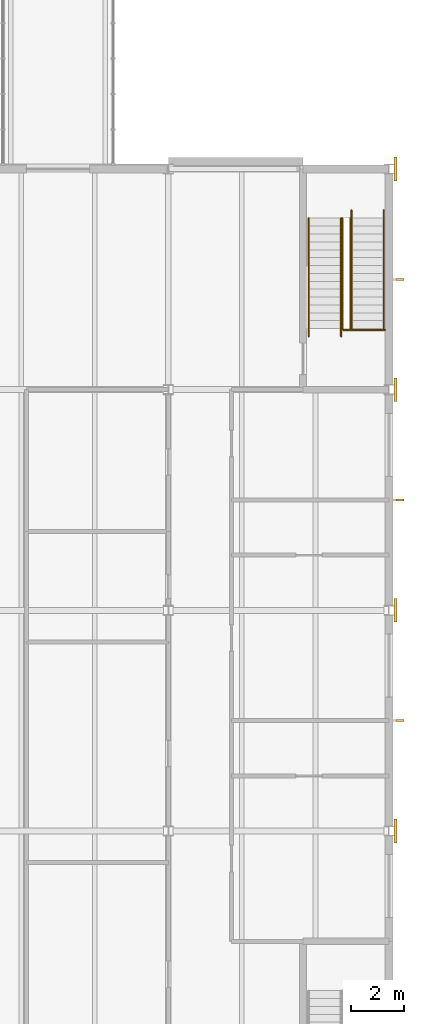
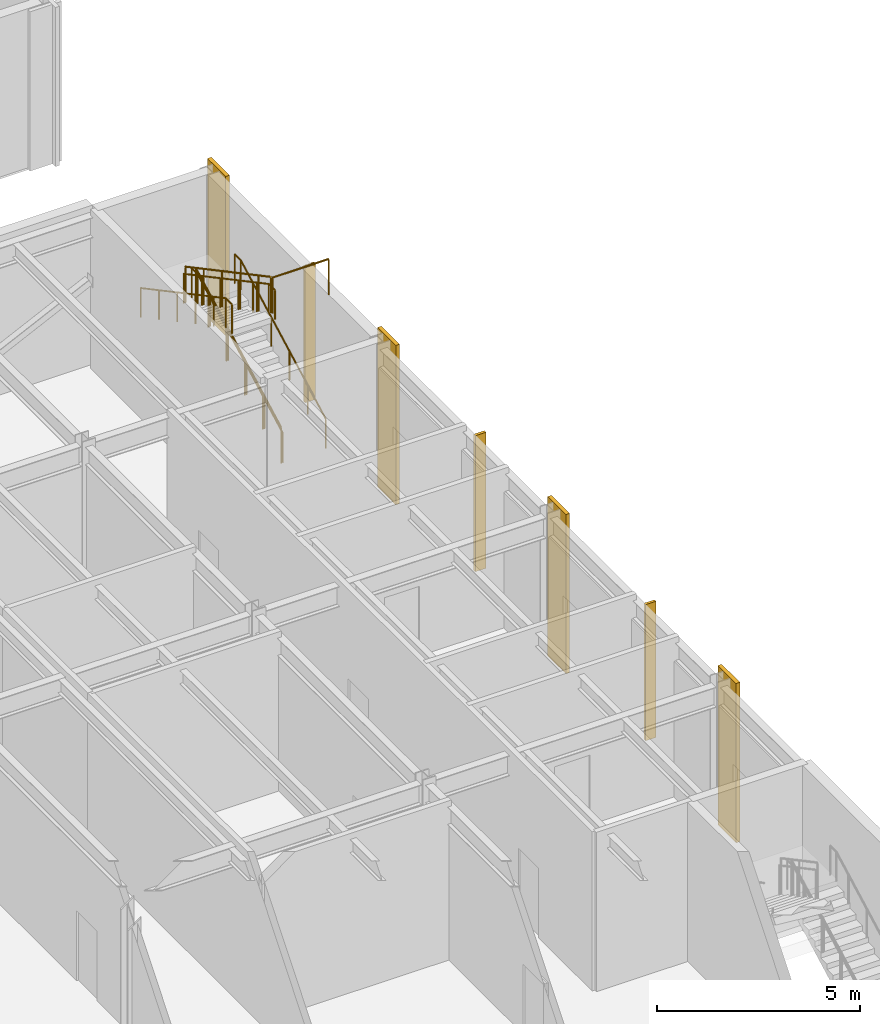
# One storey, part 124 of 127: 7 railings, 4 coverings, 3 shading devices.
"""IFC4 building model written with IfcOpenShell, lengths in metres."""

import ifcopenshell
import ifcopenshell.guid

model = None  # the IFC model being written
_history = None  # IfcOwnerHistory: only IFC2X3 demands one
_inside = {}  # id of a spatial element -> (the spatial element, [elements in it])
_under = {}  # id of a project, library or spatial element -> (it, [spatial elements below it])
_declared = {}  # id of a project -> (the project, [libraries it declares])
_typed = {}  # id of a type object -> (the type object, [elements of that type])
_made_of = {}  # id of a material, layer set ... -> (it, [elements and type objects made of it])


def new_model(schema):
    """Start an empty IFC model of exactly this schema.

    Asked for "IFC4X3", IfcOpenShell would pick the latest addendum, in which some entities
    have other attributes; the version numbers below select the first issue.
    IFC2X3 requires an IfcOwnerHistory on every rooted entity: one is made here for all.
    """
    global model, _history
    if schema == "IFC4X3":
        model = ifcopenshell.file(schema_version=(4, 3, 0, 0))
    else:
        model = ifcopenshell.file(schema=schema)
    _inside.clear()
    _under.clear()
    _declared.clear()
    _typed.clear()
    _made_of.clear()
    _history = None
    if model.schema == "IFC2X3":
        org = make("IfcOrganization", Name="unknown")
        user = make(
            "IfcPersonAndOrganization",
            ThePerson=make("IfcPerson", FamilyName="unknown"),
            TheOrganization=org,
        )
        app = make(
            "IfcApplication",
            ApplicationDeveloper=org,
            Version="unknown",
            ApplicationFullName="unknown",
            ApplicationIdentifier="unknown",
        )
        _history = make(
            "IfcOwnerHistory",
            OwningUser=user,
            OwningApplication=app,
            ChangeAction="ADDED",
            CreationDate=0,
        )
    return model


def make(cls, **values):
    """One entity of the class cls with the attributes given. An attribute that is None is left unset."""
    return model.create_entity(
        cls, **{name: value for name, value in values.items() if value is not None}
    )


def rooted(cls, **values):
    """An entity with a GlobalId (a new one), such as an element, a storey or a relation."""
    return make(cls, GlobalId=ifcopenshell.guid.new(), OwnerHistory=_history, **values)


def si_unit(unit_type, name, prefix=None):
    """IfcSIUnit, for example si_unit("LENGTHUNIT", "METRE", prefix="MILLI")."""
    return make("IfcSIUnit", UnitType=unit_type, Prefix=prefix, Name=name)


def assignment(units):
    """IfcUnitAssignment: the units of a project."""
    return None if units is None else make("IfcUnitAssignment", Units=units)


def point(xyz):
    """IfcCartesianPoint."""
    return None if xyz is None else make("IfcCartesianPoint", Coordinates=xyz)


def direction(xyz):
    """IfcDirection."""
    return None if xyz is None else make("IfcDirection", DirectionRatios=xyz)


def frame(location, z_axis=None, x_axis=None):
    """IfcAxis2Placement3D, a coordinate frame: its origin and axes. An axis left out is left unset."""
    return make(
        "IfcAxis2Placement3D",
        Location=point(location),
        Axis=direction(z_axis),
        RefDirection=direction(x_axis),
    )


def frame_2d(location, x_axis=None):
    """IfcAxis2Placement2D, a coordinate frame in the plane: its origin and x axis."""
    return make(
        "IfcAxis2Placement2D", Location=point(location), RefDirection=direction(x_axis)
    )


def origin():
    """The frame at (0, 0, 0) with its axes left unset."""
    return frame((0.0, 0.0, 0.0))


def origin_2d():
    """The frame at (0, 0) in the plane with its x axis left unset."""
    return frame_2d((0.0, 0.0))


def place(relative_to, where):
    """IfcLocalPlacement: puts the frame where relative to a parent placement (None: the world)."""
    return make(
        "IfcLocalPlacement", PlacementRelTo=relative_to, RelativePlacement=where
    )


def context(
    kind, dimensions, precision=None, world=None, true_north=None, identifier=None
):
    """IfcGeometricRepresentationContext, for example the 3D "Model" context."""
    return make(
        "IfcGeometricRepresentationContext",
        ContextIdentifier=identifier,
        ContextType=kind,
        CoordinateSpaceDimension=dimensions,
        Precision=precision,
        WorldCoordinateSystem=world,
        TrueNorth=true_north,
    )


def subcontext(parent, identifier, kind, view, scale=None):
    """IfcGeometricRepresentationSubContext, for example "Body" below "Model"."""
    return make(
        "IfcGeometricRepresentationSubContext",
        ContextIdentifier=identifier,
        ContextType=kind,
        ParentContext=parent,
        TargetScale=scale,
        TargetView=view,
    )


def project(units=None, contexts=None):
    """IfcProject with its units and contexts."""
    return rooted(
        "IfcProject",
        Name="project",
        RepresentationContexts=contexts,
        UnitsInContext=assignment(units),
    )


def spatial(cls, under=None, at=None, **own):
    """A site, building, storey or space (cls), placed at a placement, below another one or the project."""
    s = rooted(cls, ObjectPlacement=at, **own)
    if under is not None:
        _under.setdefault(under.id(), (under, []))[1].append(s)
    return s


def profile(cls, at=None, kind="AREA", **sizes):
    """A parametric profile (cls). Its sizes go by their IFC names, for example OverallWidth=200.0."""
    return make(cls, ProfileType=kind, Position=at, **sizes)


def rectangle(**sizes):
    """IfcRectangleProfileDef."""
    return profile("IfcRectangleProfileDef", **sizes)


def circle(**sizes):
    """IfcCircleProfileDef."""
    return profile("IfcCircleProfileDef", **sizes)


def extrude(swept, where, along, depth):
    """IfcExtrudedAreaSolid: the profile swept, set in the frame where, extruded along a direction by depth."""
    return make(
        "IfcExtrudedAreaSolid",
        SweptArea=swept,
        Position=where,
        ExtrudedDirection=direction(along),
        Depth=depth,
    )


def shape(context_of_items, identifier, shape_type, items):
    """IfcShapeRepresentation: the items that make up one representation, for example the "Body"."""
    return make(
        "IfcShapeRepresentation",
        ContextOfItems=context_of_items,
        RepresentationIdentifier=identifier,
        RepresentationType=shape_type,
        Items=items,
    )


def material(Name=None, Category=None):
    """IfcMaterial."""
    return make("IfcMaterial", Name=Name, Category=Category)


def layer(
    of_material, thickness, ventilated=None, Name=None, Category=None, Priority=None
):
    """IfcMaterialLayer: one layer of a wall or slab, of a material (None: an air gap)."""
    return make(
        "IfcMaterialLayer",
        Material=of_material,
        LayerThickness=thickness,
        IsVentilated=ventilated,
        Name=Name,
        Category=Category,
        Priority=Priority,
    )


def layer_set(layers, Name=None):
    """IfcMaterialLayerSet."""
    return make("IfcMaterialLayerSet", MaterialLayers=layers, LayerSetName=Name)


def made_of(thing, what):
    """Note that an element or type object is made of a material, layer set ...; save() writes the relation."""
    if what is not None:
        _made_of.setdefault(what.id(), (what, []))[1].append(thing)
    return thing


def type_object(cls, material=None, **own):
    """A type object (cls), such as IfcWallType, which elements share."""
    return made_of(rooted(cls, **own), material)


def element(
    cls,
    number,
    at=None,
    inside=None,
    cuts=None,
    type_object=None,
    material=None,
    context=None,
    identifier="Body",
    shape_type=None,
    held_by="IfcProductDefinitionShape",
    body=None,
    shapes=None,
    **own,
):
    """One element of the class cls, such as IfcWall. Its Tag is "e" and its number.

    at: its placement. inside: the storey or other place that contains it. cuts: it is an
    opening in that element (IfcRelVoidsElement). A single representation is given by context,
    identifier, shape_type and body (its items); several are given by shapes. held_by: the class
    of the entity that holds the representations. save() writes the other relations.
    """
    e = rooted(cls, Tag="e%d" % number, ObjectPlacement=at, **own)
    if body is not None:
        shapes = [shape(context, identifier, shape_type, body)]
    if shapes is not None:
        e.Representation = make(held_by, Representations=shapes)
    if inside is not None:
        _inside.setdefault(inside.id(), (inside, []))[1].append(e)
    if cuts is not None:
        rooted(
            "IfcRelVoidsElement", RelatingBuildingElement=cuts, RelatedOpeningElement=e
        )
    if type_object is not None:
        _typed.setdefault(type_object.id(), (type_object, []))[1].append(e)
    return made_of(e, material)


def aggregate(whole, parts):
    """IfcRelAggregates: a whole, such as a stair, and the parts it consists of."""
    return rooted("IfcRelAggregates", RelatingObject=whole, RelatedObjects=parts)


def save(model, path):
    """Write the relations noted so far, then the file.

    IfcRelAggregates (storeys below a building ...), IfcRelContainedInSpatialStructure (elements
    in a storey), IfcRelDefinesByType, IfcRelAssociatesMaterial and IfcRelDeclares: one each for
    every whole, place, type object, material and project.
    """
    for whole, parts in _under.values():
        aggregate(whole, parts)
    for where, things in _inside.values():
        rooted(
            "IfcRelContainedInSpatialStructure",
            RelatedElements=things,
            RelatingStructure=where,
        )
    for kind, things in _typed.values():
        rooted("IfcRelDefinesByType", RelatedObjects=things, RelatingType=kind)
    for what, things in _made_of.values():
        rooted("IfcRelAssociatesMaterial", RelatedObjects=things, RelatingMaterial=what)
    for by, libraries in _declared.values():
        rooted("IfcRelDeclares", RelatingContext=by, RelatedDefinitions=libraries)
    model.write(path)


model = new_model("IFC4")

# Units and contexts
model_context = context("Model", 3, precision=1e-05, world=origin(), true_north=direction((0.0, 1.0)))
body_context = subcontext(model_context, "Body", "Model", "MODEL_VIEW")
ifc_project = project(units=[si_unit("LENGTHUNIT", "METRE"), si_unit("AREAUNIT", "SQUARE_METRE"), si_unit("VOLUMEUNIT", "CUBIC_METRE"), si_unit("PLANEANGLEUNIT", "RADIAN"), si_unit("MASSUNIT", "GRAM", prefix="KILO")], contexts=[model_context])

# Site, building, storey
site_placement = place(None, origin())
site = spatial("IfcSite", under=ifc_project, at=site_placement, CompositionType="ELEMENT")
building_placement = place(site_placement, origin())
building = spatial("IfcBuilding", under=site, at=building_placement, Name="Ljudholm Concert House", CompositionType="ELEMENT")
storey_placement = place(building_placement, frame((0.0, 0.0, 5.39990234375)))
storey = spatial("IfcBuildingStorey", under=building, at=storey_placement, Name="L01", CompositionType="ELEMENT", Elevation=5.39990234375)

# Shading devices
ifc_material_1 = material(Name="Aluminium extrusion with timber-grain PVDF finish", Category="aluminium")
shading_device_type = type_object("IfcShadingDeviceType", Name="FACADE FIN 300x80", PredefinedType="SHUTTER", material=ifc_material_1)
for number, where, z_axis, x_axis, name in (
    (1, (122.02001953125, 75.39990234375, 0.25), (0.0, 0.0, 1.0), (1.0, 0.0, 0.0), "Facade fin"),
    (2, (122.02001953125, 83.800048828125, 0.25), (0.0, 0.0, 1.0), (1.0, 0.0, 0.0), "Facade fin"),
    (3, (122.02001953125, 92.199951171875, 0.25), (0.0, 0.0, 1.0), (1.0, 0.0, 0.0), "Facade fin"),
):
    element("IfcShadingDevice", number, at=place(storey_placement, frame(where, z_axis=z_axis, x_axis=x_axis)), inside=storey, type_object=shading_device_type, Name=name, PredefinedType="SHUTTER", context=body_context, shape_type="SweptSolid", body=[
        extrude(rectangle(XDim=0.300048828125, YDim=0.080078125, at=origin_2d()), origin(), (0.0, 0.0, 1.0), 4.10009765625),
    ])

# Railings
ifc_material_2 = material(Name="Steel ASTM A36", Category="steel")
railing_type_1 = type_object("IfcRailingType", Name="GUARD 1100", PredefinedType="GUARDRAIL", material=ifc_material_2)
railing_1_placement = place(storey_placement, frame((120.125, 90.324951171875, 0.16015625)))
element("IfcRailing", 4, at=railing_1_placement, inside=storey, type_object=railing_type_1, Name="Guard", PredefinedType="GUARDRAIL", context=body_context, shape_type="SweptSolid", body=[
    extrude(circle(Radius=0.02490234375, at=origin_2d()), frame((0.0, 0.0, 1.0751953125), z_axis=(0.0, 0.882392687573, 0.470513703219), x_axis=(-1.0, 0.0, 0.0)), (0.0, 0.0, 1.0), 1.02001953125),
    extrude(circle(Radius=0.02490234375, at=origin_2d()), frame((0.0, 0.900146484375, 1.55517578125), z_axis=(0.0, 0.88233968818, 0.47061308382), x_axis=(-1.0, 0.0, 0.0)), (0.0, 0.0, 1.0), 1.02001953125),
    extrude(circle(Radius=0.02490234375, at=origin_2d()), frame((0.0, 1.800048828125, 2.03515625), z_axis=(0.0, 0.88233968818, 0.47061308382), x_axis=(-1.0, 0.0, 0.0)), (0.0, 0.0, 1.0), 1.02001953125),
    extrude(circle(Radius=0.02490234375, at=origin_2d()), frame((0.0, 2.699951171875, 2.51513671875), z_axis=(0.0, 0.882392687573, 0.470513703219), x_axis=(-1.0, 0.0, 0.0)), (0.0, 0.0, 1.0), 1.02001953125),
    extrude(circle(Radius=0.02490234375, at=origin_2d()), frame((0.0, 3.60009765625, 2.9951171875), z_axis=(0.0, 0.88226346546, 0.470755963866), x_axis=(-1.0, 0.0, 0.0)), (0.0, 0.0, 1.0), 0.679931640625),
    extrude(circle(Radius=0.02099609375, at=origin_2d()), origin(), (0.0, 0.0, 1.0), 1.050048828125),
    extrude(circle(Radius=0.02099609375, at=origin_2d()), frame((0.0, 0.900146484375, 0.47998046875)), (0.0, 0.0, 1.0), 1.050048828125),
    extrude(circle(Radius=0.02099609375, at=origin_2d()), frame((0.0, 1.800048828125, 0.9599609375)), (0.0, 0.0, 1.0), 1.050048828125),
    extrude(circle(Radius=0.02099609375, at=origin_2d()), frame((0.0, 2.699951171875, 1.43994140625)), (0.0, 0.0, 1.0), 1.050048828125),
    extrude(circle(Radius=0.02099609375, at=origin_2d()), frame((0.0, 3.60009765625, 1.919921875)), (0.0, 0.0, 1.0), 1.050048828125),
    extrude(circle(Radius=0.02099609375, at=origin_2d()), frame((0.0, 4.199951171875, 2.239990234375)), (0.0, 0.0, 1.0), 1.050048828125),
])
railing_2_placement = place(storey_placement, frame((119.824951171875, 94.52490234375, 2.56005859375)))
element("IfcRailing", 5, at=railing_2_placement, inside=storey, type_object=railing_type_1, Name="Guard", PredefinedType="GUARDRAIL", context=body_context, shape_type="SweptSolid", body=[
    extrude(circle(Radius=0.02490234375, at=origin_2d()), frame((0.0, 0.0, 1.0751953125), z_axis=(0.0, -0.88233968818, 0.47061308382), x_axis=(1.0, 0.0, 0.0)), (0.0, 0.0, 1.0), 1.02001953125),
    extrude(circle(Radius=0.02490234375, at=origin_2d()), frame((0.0, -0.89990234375, 1.55517578125), z_axis=(0.0, -0.88233968818, 0.47061308382), x_axis=(1.0, 0.0, 0.0)), (0.0, 0.0, 1.0), 1.02001953125),
    extrude(circle(Radius=0.02490234375, at=origin_2d()), frame((0.0, -1.7998046875, 2.03515625), z_axis=(0.0, -0.882392687573, 0.470513703219), x_axis=(1.0, 0.0, 0.0)), (0.0, 0.0, 1.0), 1.02001953125),
    extrude(circle(Radius=0.02490234375, at=origin_2d()), frame((0.0, -2.699951171875, 2.51513671875), z_axis=(0.0, -0.88233968818, 0.47061308382), x_axis=(1.0, 0.0, 0.0)), (0.0, 0.0, 1.0), 1.02001953125),
    extrude(circle(Radius=0.02490234375, at=origin_2d()), frame((0.0, -3.599853515625, 2.9951171875), z_axis=(0.0, -0.882343004153, 0.470606866739), x_axis=(1.0, 0.0, 0.0)), (0.0, 0.0, 1.0), 0.68017578125),
    extrude(circle(Radius=0.02099609375, at=origin_2d()), origin(), (0.0, 0.0, 1.0), 1.050048828125),
    extrude(circle(Radius=0.02099609375, at=origin_2d()), frame((0.0, -0.89990234375, 0.47998046875)), (0.0, 0.0, 1.0), 1.050048828125),
    extrude(circle(Radius=0.02099609375, at=origin_2d()), frame((0.0, -1.7998046875, 0.9599609375)), (0.0, 0.0, 1.0), 1.050048828125),
    extrude(circle(Radius=0.02099609375, at=origin_2d()), frame((0.0, -2.699951171875, 1.43994140625)), (0.0, 0.0, 1.0), 1.050048828125),
    extrude(circle(Radius=0.02099609375, at=origin_2d()), frame((0.0, -3.599853515625, 1.919921875)), (0.0, 0.0, 1.0), 1.050048828125),
    extrude(circle(Radius=0.02099609375, at=origin_2d()), frame((0.0, -4.199951171875, 2.239990234375)), (0.0, 0.0, 1.0), 1.050048828125),
])
railing_3_placement = place(storey_placement, frame((121.449951171875, 90.27490234375, 4.800048828125)))
element("IfcRailing", 6, at=railing_3_placement, inside=storey, type_object=railing_type_1, Name="Guard", PredefinedType="GUARDRAIL", context=body_context, shape_type="SweptSolid", body=[
    extrude(circle(Radius=0.02490234375, at=origin_2d()), frame((0.0, 0.0, 1.0751953125), z_axis=(-1.0, 0.0, 0.0), x_axis=(0.0, -1.0, 0.0)), (0.0, 0.0, 1.0), 1.599853515625),
    extrude(circle(Radius=0.02099609375, at=origin_2d()), origin(), (0.0, 0.0, 1.0), 1.050048828125),
    extrude(circle(Radius=0.02099609375, at=origin_2d()), frame((-1.599853515625, 0.0, 0.0)), (0.0, 0.0, 1.0), 1.050048828125),
])
ifc_material_3 = material(Name="Steel ASTM A36", Category="steel")
railing_type_2 = type_object("IfcRailingType", Name="HANDRAIL 900", PredefinedType="HANDRAIL", material=ifc_material_3)
railing_4_placement = place(storey_placement, frame((120.175048828125, 90.324951171875, 0.16015625)))
element("IfcRailing", 7, at=railing_4_placement, inside=storey, type_object=railing_type_2, Name="Handrail", PredefinedType="HANDRAIL", context=body_context, shape_type="SweptSolid", body=[
    extrude(circle(Radius=0.0224609375, at=origin_2d()), frame((0.0, 0.0, 0.87744140625), z_axis=(0.0, 0.882392687573, 0.470513703219), x_axis=(-1.0, 0.0, 0.0)), (0.0, 0.0, 1.0), 1.02001953125),
    extrude(circle(Radius=0.0224609375, at=origin_2d()), frame((0.0, 0.900146484375, 1.357421875), z_axis=(0.0, 0.88233968818, 0.47061308382), x_axis=(-1.0, 0.0, 0.0)), (0.0, 0.0, 1.0), 1.02001953125),
    extrude(circle(Radius=0.0224609375, at=origin_2d()), frame((0.0, 1.800048828125, 1.83740234375), z_axis=(0.0, 0.88233968818, 0.47061308382), x_axis=(-1.0, 0.0, 0.0)), (0.0, 0.0, 1.0), 1.02001953125),
    extrude(circle(Radius=0.0224609375, at=origin_2d()), frame((0.0, 2.699951171875, 2.3173828125), z_axis=(0.0, 0.882392687573, 0.470513703219), x_axis=(-1.0, 0.0, 0.0)), (0.0, 0.0, 1.0), 1.02001953125),
    extrude(circle(Radius=0.0224609375, at=origin_2d()), frame((0.0, 3.60009765625, 2.79736328125), z_axis=(0.0, 0.88226346546, 0.470755963866), x_axis=(-1.0, 0.0, 0.0)), (0.0, 0.0, 1.0), 0.679931640625),
    extrude(circle(Radius=0.0224609375, at=origin_2d()), frame((0.0, 4.199951171875, 3.117431640625), z_axis=(0.0, 1.0, 0.0), x_axis=(-1.0, 0.0, 0.0)), (0.0, 0.0, 1.0), 0.300048828125),
    extrude(circle(Radius=0.02099609375, at=origin_2d()), origin(), (0.0, 0.0, 1.0), 0.85498046875),
    extrude(circle(Radius=0.02099609375, at=origin_2d()), frame((0.0, 0.900146484375, 0.47998046875)), (0.0, 0.0, 1.0), 0.85498046875),
    extrude(circle(Radius=0.02099609375, at=origin_2d()), frame((0.0, 1.800048828125, 0.9599609375)), (0.0, 0.0, 1.0), 0.85498046875),
    extrude(circle(Radius=0.02099609375, at=origin_2d()), frame((0.0, 2.699951171875, 1.43994140625)), (0.0, 0.0, 1.0), 0.85498046875),
    extrude(circle(Radius=0.02099609375, at=origin_2d()), frame((0.0, 3.60009765625, 1.919921875)), (0.0, 0.0, 1.0), 0.85498046875),
    extrude(circle(Radius=0.02099609375, at=origin_2d()), frame((0.0, 4.199951171875, 2.239990234375)), (0.0, 0.0, 1.0), 0.85498046875),
    extrude(circle(Radius=0.02099609375, at=origin_2d()), frame((0.0, 4.5, 2.239990234375)), (0.0, 0.0, 1.0), 0.85498046875),
])
railing_5_placement = place(storey_placement, frame((121.39990234375, 90.324951171875, 0.16015625)))
element("IfcRailing", 8, at=railing_5_placement, inside=storey, type_object=railing_type_2, Name="Handrail", PredefinedType="HANDRAIL", context=body_context, shape_type="SweptSolid", body=[
    extrude(circle(Radius=0.0224609375, at=origin_2d()), frame((0.0, 0.0, 0.87744140625), z_axis=(0.0, 0.882392687573, 0.470513703219), x_axis=(-1.0, 0.0, 0.0)), (0.0, 0.0, 1.0), 1.02001953125),
    extrude(circle(Radius=0.0224609375, at=origin_2d()), frame((0.0, 0.900146484375, 1.357421875), z_axis=(0.0, 0.88233968818, 0.47061308382), x_axis=(-1.0, 0.0, 0.0)), (0.0, 0.0, 1.0), 1.02001953125),
    extrude(circle(Radius=0.0224609375, at=origin_2d()), frame((0.0, 1.800048828125, 1.83740234375), z_axis=(0.0, 0.88233968818, 0.47061308382), x_axis=(-1.0, 0.0, 0.0)), (0.0, 0.0, 1.0), 1.02001953125),
    extrude(circle(Radius=0.0224609375, at=origin_2d()), frame((0.0, 2.699951171875, 2.3173828125), z_axis=(0.0, 0.882392687573, 0.470513703219), x_axis=(-1.0, 0.0, 0.0)), (0.0, 0.0, 1.0), 1.02001953125),
    extrude(circle(Radius=0.0224609375, at=origin_2d()), frame((0.0, 3.60009765625, 2.79736328125), z_axis=(0.0, 0.88226346546, 0.470755963866), x_axis=(-1.0, 0.0, 0.0)), (0.0, 0.0, 1.0), 0.679931640625),
    extrude(circle(Radius=0.0224609375, at=origin_2d()), frame((0.0, 4.199951171875, 3.117431640625), z_axis=(0.0, 1.0, 0.0), x_axis=(-1.0, 0.0, 0.0)), (0.0, 0.0, 1.0), 0.300048828125),
    extrude(circle(Radius=0.02099609375, at=origin_2d()), origin(), (0.0, 0.0, 1.0), 0.85498046875),
    extrude(circle(Radius=0.02099609375, at=origin_2d()), frame((0.0, 0.900146484375, 0.47998046875)), (0.0, 0.0, 1.0), 0.85498046875),
    extrude(circle(Radius=0.02099609375, at=origin_2d()), frame((0.0, 1.800048828125, 0.9599609375)), (0.0, 0.0, 1.0), 0.85498046875),
    extrude(circle(Radius=0.02099609375, at=origin_2d()), frame((0.0, 2.699951171875, 1.43994140625)), (0.0, 0.0, 1.0), 0.85498046875),
    extrude(circle(Radius=0.02099609375, at=origin_2d()), frame((0.0, 3.60009765625, 1.919921875)), (0.0, 0.0, 1.0), 0.85498046875),
    extrude(circle(Radius=0.02099609375, at=origin_2d()), frame((0.0, 4.199951171875, 2.239990234375)), (0.0, 0.0, 1.0), 0.85498046875),
    extrude(circle(Radius=0.02099609375, at=origin_2d()), frame((0.0, 4.5, 2.239990234375)), (0.0, 0.0, 1.0), 0.85498046875),
])
railing_6_placement = place(storey_placement, frame((119.77490234375, 94.52490234375, 2.56005859375)))
element("IfcRailing", 9, at=railing_6_placement, inside=storey, type_object=railing_type_2, Name="Handrail", PredefinedType="HANDRAIL", context=body_context, shape_type="SweptSolid", body=[
    extrude(circle(Radius=0.0224609375, at=origin_2d()), frame((0.0, 0.0, 0.87744140625), z_axis=(0.0, -0.88233968818, 0.47061308382), x_axis=(1.0, 0.0, 0.0)), (0.0, 0.0, 1.0), 1.02001953125),
    extrude(circle(Radius=0.0224609375, at=origin_2d()), frame((0.0, -0.89990234375, 1.357421875), z_axis=(0.0, -0.88233968818, 0.47061308382), x_axis=(1.0, 0.0, 0.0)), (0.0, 0.0, 1.0), 1.02001953125),
    extrude(circle(Radius=0.0224609375, at=origin_2d()), frame((0.0, -1.7998046875, 1.83740234375), z_axis=(0.0, -0.882392687573, 0.470513703219), x_axis=(1.0, 0.0, 0.0)), (0.0, 0.0, 1.0), 1.02001953125),
    extrude(circle(Radius=0.0224609375, at=origin_2d()), frame((0.0, -2.699951171875, 2.3173828125), z_axis=(0.0, -0.88233968818, 0.47061308382), x_axis=(1.0, 0.0, 0.0)), (0.0, 0.0, 1.0), 1.02001953125),
    extrude(circle(Radius=0.0224609375, at=origin_2d()), frame((0.0, -3.599853515625, 2.79736328125), z_axis=(0.0, -0.882343004153, 0.470606866739), x_axis=(1.0, 0.0, 0.0)), (0.0, 0.0, 1.0), 0.68017578125),
    extrude(circle(Radius=0.0224609375, at=origin_2d()), frame((0.0, -4.199951171875, 3.117431640625), z_axis=(0.0, -1.0, 0.0), x_axis=(1.0, 0.0, 0.0)), (0.0, 0.0, 1.0), 0.300048828125),
    extrude(circle(Radius=0.02099609375, at=origin_2d()), origin(), (0.0, 0.0, 1.0), 0.85498046875),
    extrude(circle(Radius=0.02099609375, at=origin_2d()), frame((0.0, -0.89990234375, 0.47998046875)), (0.0, 0.0, 1.0), 0.85498046875),
    extrude(circle(Radius=0.02099609375, at=origin_2d()), frame((0.0, -1.7998046875, 0.9599609375)), (0.0, 0.0, 1.0), 0.85498046875),
    extrude(circle(Radius=0.02099609375, at=origin_2d()), frame((0.0, -2.699951171875, 1.43994140625)), (0.0, 0.0, 1.0), 0.85498046875),
    extrude(circle(Radius=0.02099609375, at=origin_2d()), frame((0.0, -3.599853515625, 1.919921875)), (0.0, 0.0, 1.0), 0.85498046875),
    extrude(circle(Radius=0.02099609375, at=origin_2d()), frame((0.0, -4.199951171875, 2.239990234375)), (0.0, 0.0, 1.0), 0.85498046875),
    extrude(circle(Radius=0.02099609375, at=origin_2d()), frame((0.0, -4.5, 2.239990234375)), (0.0, 0.0, 1.0), 0.85498046875),
])
railing_7_placement = place(storey_placement, frame((118.550048828125, 94.52490234375, 2.56005859375)))
element("IfcRailing", 10, at=railing_7_placement, inside=storey, type_object=railing_type_2, Name="Handrail", PredefinedType="HANDRAIL", context=body_context, shape_type="SweptSolid", body=[
    extrude(circle(Radius=0.0224609375, at=origin_2d()), frame((0.0, 0.0, 0.87744140625), z_axis=(0.0, -0.88233968818, 0.47061308382), x_axis=(1.0, 0.0, 0.0)), (0.0, 0.0, 1.0), 1.02001953125),
    extrude(circle(Radius=0.0224609375, at=origin_2d()), frame((0.0, -0.89990234375, 1.357421875), z_axis=(0.0, -0.88233968818, 0.47061308382), x_axis=(1.0, 0.0, 0.0)), (0.0, 0.0, 1.0), 1.02001953125),
    extrude(circle(Radius=0.0224609375, at=origin_2d()), frame((0.0, -1.7998046875, 1.83740234375), z_axis=(0.0, -0.882392687573, 0.470513703219), x_axis=(1.0, 0.0, 0.0)), (0.0, 0.0, 1.0), 1.02001953125),
    extrude(circle(Radius=0.0224609375, at=origin_2d()), frame((0.0, -2.699951171875, 2.3173828125), z_axis=(0.0, -0.88233968818, 0.47061308382), x_axis=(1.0, 0.0, 0.0)), (0.0, 0.0, 1.0), 1.02001953125),
    extrude(circle(Radius=0.0224609375, at=origin_2d()), frame((0.0, -3.599853515625, 2.79736328125), z_axis=(0.0, -0.882343004153, 0.470606866739), x_axis=(1.0, 0.0, 0.0)), (0.0, 0.0, 1.0), 0.68017578125),
    extrude(circle(Radius=0.0224609375, at=origin_2d()), frame((0.0, -4.199951171875, 3.117431640625), z_axis=(0.0, -1.0, 0.0), x_axis=(1.0, 0.0, 0.0)), (0.0, 0.0, 1.0), 0.300048828125),
    extrude(circle(Radius=0.02099609375, at=origin_2d()), origin(), (0.0, 0.0, 1.0), 0.85498046875),
    extrude(circle(Radius=0.02099609375, at=origin_2d()), frame((0.0, -0.89990234375, 0.47998046875)), (0.0, 0.0, 1.0), 0.85498046875),
    extrude(circle(Radius=0.02099609375, at=origin_2d()), frame((0.0, -1.7998046875, 0.9599609375)), (0.0, 0.0, 1.0), 0.85498046875),
    extrude(circle(Radius=0.02099609375, at=origin_2d()), frame((0.0, -2.699951171875, 1.43994140625)), (0.0, 0.0, 1.0), 0.85498046875),
    extrude(circle(Radius=0.02099609375, at=origin_2d()), frame((0.0, -3.599853515625, 1.919921875)), (0.0, 0.0, 1.0), 0.85498046875),
    extrude(circle(Radius=0.02099609375, at=origin_2d()), frame((0.0, -4.199951171875, 2.239990234375)), (0.0, 0.0, 1.0), 0.85498046875),
    extrude(circle(Radius=0.02099609375, at=origin_2d()), frame((0.0, -4.5, 2.239990234375)), (0.0, 0.0, 1.0), 0.85498046875),
])

# Coverings
ifc_material_4 = material(Name="Precast concrete, limestone aggregate", Category="masonry")
ifc_layer = layer(ifc_material_4, 0.110107421875)
ifc_layer_set = layer_set([ifc_layer], Name="Precast concrete, limestone aggregate")
covering_type = type_object("IfcCoveringType", Name="PRECAST CONCRETE, LIMESTONE AGGREGATE CLADDING 110", PredefinedType="CLADDING", material=ifc_layer_set)
for number, where, z_axis, x_axis, name in (
    (11, (121.844970703125, 71.199951171875, 0.0), (0.0, 0.0, 1.0), (1.0, 0.0, 0.0), "Pilaster cladding"),
    (12, (121.844970703125, 79.60009765625, 0.0), (0.0, 0.0, 1.0), (1.0, 0.0, 0.0), "Pilaster cladding"),
    (13, (121.844970703125, 88.0, 0.0), (0.0, 0.0, 1.0), (1.0, 0.0, 0.0), "Pilaster cladding"),
    (14, (121.844970703125, 96.39990234375, 0.0), (0.0, 0.0, 1.0), (1.0, 0.0, 0.0), "Pilaster cladding"),
):
    element("IfcCovering", number, at=place(storey_placement, frame(where, z_axis=z_axis, x_axis=x_axis)), inside=storey, type_object=covering_type, Name=name, PredefinedType="CLADDING", context=body_context, shape_type="SweptSolid", body=[
        extrude(rectangle(XDim=0.110107421875, YDim=0.89990234375, at=origin_2d()), origin(), (0.0, 0.0, 1.0), 4.800048828125),
    ])

save(model, "model.ifc")
